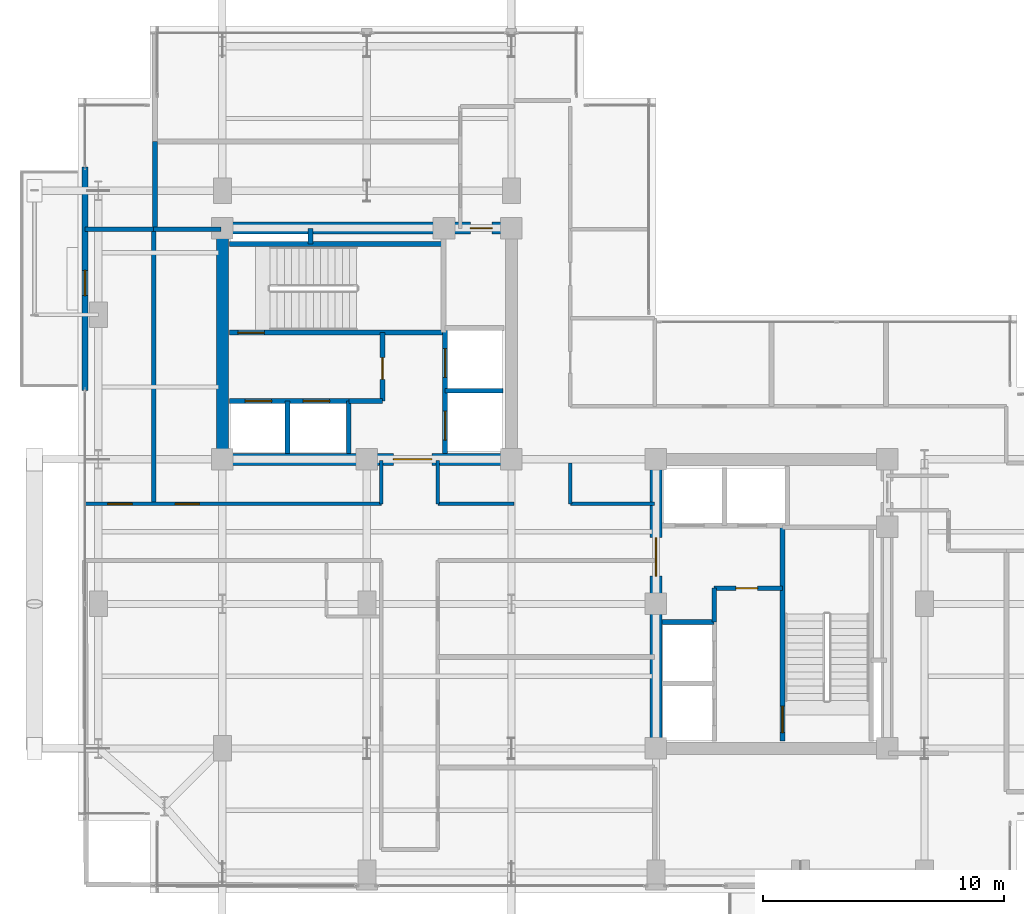
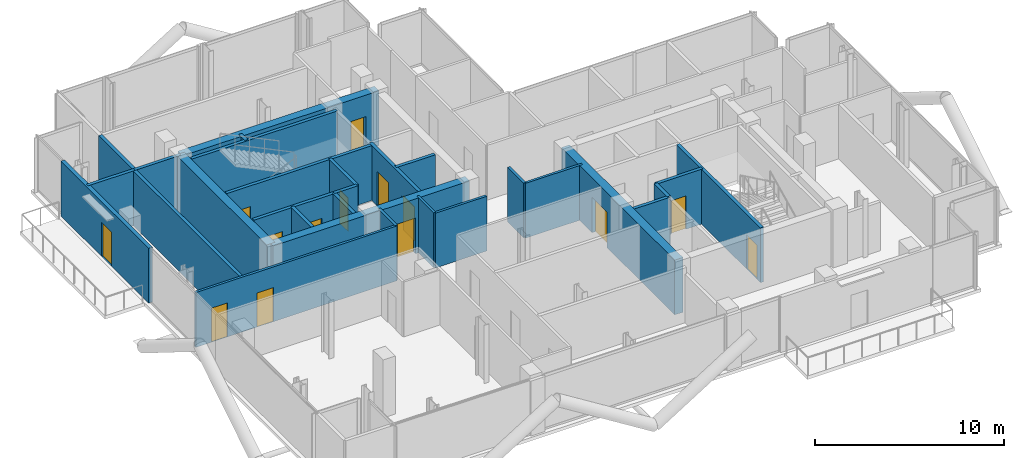
# One storey, part 20 of 25: 29 walls, 14 doors, 14 openings.
"""IFC4 building model written with IfcOpenShell, lengths in metres."""

from ifc_helpers import new_model, si_unit, direction, frame, frame_2d, origin, place, context, subcontext, project, spatial, rectangle, extrude, material, layer, layer_set, type_object, element, fill, save


model = new_model("IFC4")

# Units and contexts
model_context = context("Model", 3, precision=1e-05, world=origin(), true_north=direction((0.0, 1.0)))
body_context = subcontext(model_context, "Body", "Model", "MODEL_VIEW")
ifc_project = project(units=[si_unit("LENGTHUNIT", "METRE"), si_unit("AREAUNIT", "SQUARE_METRE"), si_unit("VOLUMEUNIT", "CUBIC_METRE"), si_unit("PLANEANGLEUNIT", "RADIAN"), si_unit("MASSUNIT", "GRAM", prefix="KILO"), si_unit("THERMODYNAMICTEMPERATUREUNIT", "KELVIN"), si_unit("POWERUNIT", "WATT")], contexts=[model_context])

# Site, building, storey
site_placement = place(None, origin())
site = spatial("IfcSite", under=ifc_project, at=site_placement, CompositionType="ELEMENT")
building_placement = place(site_placement, origin())
building = spatial("IfcBuilding", under=site, at=building_placement, Name="Svarakhadi Broadcast Tower", CompositionType="ELEMENT")
storey_placement = place(building_placement, frame((0.0, 0.0, 227.39990234375)))
storey = spatial("IfcBuildingStorey", under=building, at=storey_placement, Name="L56", CompositionType="ELEMENT", Elevation=227.39990234375)

# Walls
ifc_material_1 = material(Name="Double-Stud Acoustic Studio Partition STC-62", Category="gypsum")
ifc_layer_1 = layer(ifc_material_1, 0.199951171875)
ifc_layer_set_1 = layer_set([ifc_layer_1], Name="Double-Stud Acoustic Studio Partition STC-62")
wall_type_1 = type_object("IfcWallType", Name="Wall_Acoust_200", PredefinedType="PARTITIONING", material=ifc_layer_set_1)
wall_1_placement = place(storey_placement, frame((0.300048828125, 27.550048828125, 0.0), z_axis=(0.0, 0.0, 1.0), x_axis=(1.0, 0.0, 0.0)))
element("IfcWall", 1, at=wall_1_placement, inside=storey, type_object=wall_type_1, Name="L56 Arabian Sea Panorama Salon Wall", PredefinedType="PARTITIONING", context=body_context, shape_type="SweptSolid", body=[
    extrude(rectangle(XDim=2.849853515625, YDim=0.199951171875, at=frame_2d((1.4248046875, 0.0))), origin(), (0.0, 0.0, 1.0), 3.5400390625),
])
wall_2_placement = place(storey_placement, frame((3.14990234375, 16.14990234375, 0.0), z_axis=(0.0, 0.0, 1.0), x_axis=(0.0, 1.0, 0.0)))
element("IfcWall", 2, at=wall_2_placement, inside=storey, type_object=wall_type_1, Name="L56 Arabian Sea Panorama Salon Wall", PredefinedType="PARTITIONING", context=body_context, shape_type="SweptSolid", body=[
    extrude(rectangle(XDim=11.400146484375, YDim=0.199951171875, at=frame_2d((5.7001953125, 0.0))), origin(), (0.0, 0.0, 1.0), 3.5400390625),
])
wall_3_placement = place(storey_placement, frame((3.14990234375, 27.550048828125, 0.0), z_axis=(0.0, 0.0, 1.0), x_axis=(1.0, 0.0, 0.0)))
element("IfcWall", 3, at=wall_3_placement, inside=storey, type_object=wall_type_1, Name="L56 Private Study and Library Office Wall", PredefinedType="PARTITIONING", context=body_context, shape_type="SweptSolid", body=[
    extrude(rectangle(XDim=2.800048828125, YDim=0.199951171875, at=frame_2d((1.39990234375, 0.0))), origin(), (0.0, 0.0, 1.0), 3.5400390625),
])
wall_4_placement = place(storey_placement, frame((3.199951171875, 27.64990234375, 0.0), z_axis=(0.0, 0.0, 1.0), x_axis=(0.0, 1.0, 0.0)))
element("IfcWall", 4, at=wall_4_placement, inside=storey, type_object=wall_type_1, Name="L56 Hotel Pilates and Fitness Studio Wall", PredefinedType="PARTITIONING", context=body_context, shape_type="SweptSolid", body=[
    extrude(rectangle(XDim=3.550048828125, YDim=0.199951171875, at=frame_2d((1.77490234375, 0.0))), origin(), (0.0, 0.0, 1.0), 3.5400390625),
])

# Wall, opening, door
ifc_material_2 = material(Name="Concrete C40/50 (IS 456 M50)", Category="concrete")
ifc_layer_2 = layer(ifc_material_2, 0.239990234375)
ifc_layer_set_2 = layer_set([ifc_layer_2], Name="Concrete C40/50 (IS 456 M50)")
wall_type_2 = type_object("IfcWallType", Name="Wall_Ext_240", PredefinedType="SOLIDWALL", material=ifc_layer_set_2)
wall_5_placement = place(storey_placement, frame((0.300048828125, 20.85498046875, 0.0), z_axis=(0.0, 0.0, 1.0), x_axis=(0.0, 1.0, 0.0)))
wall_5 = element("IfcWall", 5, at=wall_5_placement, inside=storey, type_object=wall_type_2, Name="L56 West Tree Balcony Spandrel Wall", PredefinedType="SOLIDWALL", context=body_context, shape_type="SweptSolid", body=[
    extrude(rectangle(XDim=9.2900390625, YDim=0.239990234375, at=frame_2d((4.64501953125, 0.0))), origin(), (0.0, 0.0, 1.0), 3.5400390625),
])
opening_1_placement = place(wall_5_placement, frame((3.945068359375, 0.0, 0.0)))
opening_1 = element("IfcOpeningElement", 6, at=opening_1_placement, cuts=wall_5, Name="Opening ED-05", PredefinedType="OPENING", context=body_context, shape_type="SweptSolid", body=[
    extrude(rectangle(XDim=1.050048828125, YDim=2.199951171875, at=frame_2d((0.52490234375, 1.10009765625))), frame((0.0, 0.1298828125, 0.0), z_axis=(0.0, -1.0, 0.0), x_axis=(1.0, 0.0, 0.0)), (0.0, 0.0, 1.0), 0.260009765625),
])
ifc_material_3 = material(Name="Anodised Bronze Aluminium AA 6063-T6", Category="aluminium")
door_type_1 = type_object("IfcDoorType", Name="Door_Ext_ED05", OperationType="SINGLE_SWING_LEFT", PredefinedType="DOOR", material=ifc_material_3)
door_1_placement = place(opening_1_placement, origin())
door_1 = element("IfcDoor", 7, at=door_1_placement, inside=storey, type_object=door_type_1, Name="L56 West Tree Balcony Door", OperationType="SINGLE_SWING_LEFT", OverallHeight=2.199951171875, OverallWidth=1.050048828125, PredefinedType="DOOR", context=body_context, shape_type="SweptSolid", body=[
    extrude(rectangle(XDim=1.050048828125, YDim=2.199951171875, at=frame_2d((0.52490234375, 1.10009765625))), frame((0.0, 0.02490234375, 0.0), z_axis=(0.0, -1.0, 0.0), x_axis=(1.0, 0.0, 0.0)), (0.0, 0.0, 1.0), 0.050048828125),
])
fill(opening_1, door_1)

# Wall
ifc_layer_3 = layer(ifc_material_2, 0.199951171875)
ifc_layer_set_3 = layer_set([ifc_layer_3], Name="Concrete C40/50 (IS 456 M50)")
wall_type_3 = type_object("IfcWallType", Name="Wall_Fire_200", PredefinedType="SOLIDWALL", material=ifc_layer_set_3)
wall_6_placement = place(storey_placement, frame((9.659912109375, 26.93994140625, 0.0), z_axis=(0.0, 0.0, 1.0), x_axis=(0.0, 1.0, 0.0)))
element("IfcWall", 8, at=wall_6_placement, inside=storey, type_object=wall_type_3, Name="L56 Wet Riser Shaft East Wall", PredefinedType="SOLIDWALL", context=body_context, shape_type="SweptSolid", body=[
    extrude(rectangle(XDim=0.64013671875, YDim=0.199951171875, at=frame_2d((0.320068359375, 0.0))), origin(), (0.0, 0.0, 1.0), 3.5400390625),
])

# Wall, openings, doors
ifc_material_4 = material(Name="Autoclaved Aerated Concrete Blockwork 150 mm", Category="masonry")
ifc_layer_4 = layer(ifc_material_4, 0.14990234375)
ifc_layer_set_4 = layer_set([ifc_layer_4], Name="Autoclaved Aerated Concrete Blockwork 150 mm")
wall_type_4 = type_object("IfcWallType", Name="Wall_Part_150", PredefinedType="PARTITIONING", material=ifc_layer_set_4)
wall_7_placement = place(storey_placement, frame((0.300048828125, 16.14990234375, 0.0), z_axis=(0.0, 0.0, 1.0), x_axis=(1.0, 0.0, 0.0)))
wall_7 = element("IfcWall", 9, at=wall_7_placement, inside=storey, type_object=wall_type_4, Name="L56 Upper Tower Concourse Wall", PredefinedType="PARTITIONING", context=body_context, shape_type="SweptSolid", body=[
    extrude(rectangle(XDim=12.300048828125, YDim=0.14990234375, at=frame_2d((6.14990234375, 0.0))), origin(), (0.0, 0.0, 1.0), 3.5400390625),
])
opening_2_placement = place(wall_7_placement, frame((0.949951171875, 0.0, 0.0)))
opening_2 = element("IfcOpeningElement", 10, at=opening_2_placement, cuts=wall_7, Name="Opening D-08", PredefinedType="OPENING", context=body_context, shape_type="SweptSolid", body=[
    extrude(rectangle(XDim=1.0, YDim=2.199951171875, at=frame_2d((0.5, 1.10009765625))), frame((0.0, 0.0849609375, 0.0), z_axis=(0.0, -1.0, 0.0), x_axis=(1.0, 0.0, 0.0)), (0.0, 0.0, 1.0), 0.169921875),
])
opening_3_placement = place(wall_7_placement, frame((3.75, 0.0, 0.0)))
opening_3 = element("IfcOpeningElement", 11, at=opening_3_placement, cuts=wall_7, Name="Opening D-09", PredefinedType="OPENING", context=body_context, shape_type="SweptSolid", body=[
    extrude(rectangle(XDim=1.0, YDim=2.199951171875, at=frame_2d((0.5, 1.10009765625))), frame((0.0, 0.0849609375, 0.0), z_axis=(0.0, -1.0, 0.0), x_axis=(1.0, 0.0, 0.0)), (0.0, 0.0, 1.0), 0.169921875),
])
ifc_material_5 = material(Name="Solid-Core Teak Veneer Acoustic Timber Leaf", Category="wood")
door_type_2 = type_object("IfcDoorType", Name="Door_Suite_D08", OperationType="SINGLE_SWING_LEFT", PredefinedType="DOOR", material=ifc_material_5)
door_2_placement = place(opening_2_placement, origin())
door_2 = element("IfcDoor", 12, at=door_2_placement, inside=storey, type_object=door_type_2, Name="L56 Arabian Sea Panorama Salon Door", OperationType="SINGLE_SWING_LEFT", OverallHeight=2.199951171875, OverallWidth=1.0, PredefinedType="DOOR", context=body_context, shape_type="SweptSolid", body=[
    extrude(rectangle(XDim=1.0, YDim=2.199951171875, at=frame_2d((0.5, 1.10009765625))), frame((0.0, 0.02490234375, 0.0), z_axis=(0.0, -1.0, 0.0), x_axis=(1.0, 0.0, 0.0)), (0.0, 0.0, 1.0), 0.050048828125),
])
fill(opening_2, door_2)
door_type_3 = type_object("IfcDoorType", Name="Door_Suite_D09", OperationType="SINGLE_SWING_RIGHT", PredefinedType="DOOR", material=ifc_material_5)
door_3_placement = place(opening_3_placement, origin())
door_3 = element("IfcDoor", 13, at=door_3_placement, inside=storey, type_object=door_type_3, Name="L56 Private Study and Library Office Door", OperationType="SINGLE_SWING_RIGHT", OverallHeight=2.199951171875, OverallWidth=1.0, PredefinedType="DOOR", context=body_context, shape_type="SweptSolid", body=[
    extrude(rectangle(XDim=1.0, YDim=2.199951171875, at=frame_2d((0.5, 1.10009765625))), frame((0.0, 0.02490234375, 0.0), z_axis=(0.0, -1.0, 0.0), x_axis=(1.0, 0.0, 0.0)), (0.0, 0.0, 1.0), 0.050048828125),
])
fill(opening_3, door_3)

# Walls
for number, where, z_axis, x_axis, name in (
    (14, (12.60009765625, 16.14990234375, 0.0), (0.0, 0.0, 1.0), (0.0, 1.0, 0.0), "L56 Upper Tower Concourse Wall"),
    (15, (14.949951171875, 17.949951171875, 0.0), (0.0, 0.0, 1.0), (0.0, -1.0, 0.0), "L56 Upper Tower Concourse Wall"),
):
    element("IfcWall", number, at=place(storey_placement, frame(where, z_axis=z_axis, x_axis=x_axis)), inside=storey, type_object=wall_type_4, Name=name, PredefinedType="PARTITIONING", context=body_context, shape_type="SweptSolid", body=[
        extrude(rectangle(XDim=1.800048828125, YDim=0.14990234375, at=frame_2d((0.89990234375, 0.0))), origin(), (0.0, 0.0, 1.0), 3.5400390625),
    ])
wall_8_placement = place(storey_placement, frame((14.949951171875, 16.14990234375, 0.0), z_axis=(0.0, 0.0, 1.0), x_axis=(1.0, 0.0, 0.0)))
element("IfcWall", 16, at=wall_8_placement, inside=storey, type_object=wall_type_4, Name="L56 Upper Tower Concourse Wall", PredefinedType="PARTITIONING", context=body_context, shape_type="SweptSolid", body=[
    extrude(rectangle(XDim=3.150146484375, YDim=0.14990234375, at=frame_2d((1.5751953125, 0.0))), origin(), (0.0, 0.0, 1.0), 3.5400390625),
])
wall_9_placement = place(storey_placement, frame((20.449951171875, 17.85009765625, 0.0), z_axis=(0.0, 0.0, 1.0), x_axis=(0.0, -1.0, 0.0)))
element("IfcWall", 17, at=wall_9_placement, inside=storey, type_object=wall_type_4, Name="L56 Upper Tower Concourse Wall", PredefinedType="PARTITIONING", context=body_context, shape_type="SweptSolid", body=[
    extrude(rectangle(XDim=1.7001953125, YDim=0.14990234375, at=frame_2d((0.85009765625, 0.0))), origin(), (0.0, 0.0, 1.0), 3.5400390625),
])
wall_10_placement = place(storey_placement, frame((20.449951171875, 16.14990234375, 0.0), z_axis=(0.0, 0.0, 1.0), x_axis=(1.0, 0.0, 0.0)))
element("IfcWall", 18, at=wall_10_placement, inside=storey, type_object=wall_type_4, Name="L56 Upper Tower Concourse Wall", PredefinedType="PARTITIONING", context=body_context, shape_type="SweptSolid", body=[
    extrude(rectangle(XDim=3.5, YDim=0.14990234375, at=frame_2d((1.75, 0.0))), origin(), (0.0, 0.0, 1.0), 3.5400390625),
])

# Wall, opening, door
ifc_material_6 = material(Name="Concrete C50/60 (IS 456 M60)", Category="concrete")
ifc_layer_5 = layer(ifc_material_6, 0.199951171875)
ifc_layer_set_5 = layer_set([ifc_layer_5], Name="Concrete C50/60 (IS 456 M60)")
wall_type_5 = type_object("IfcWallType", Name="Wall_Shear_200", PredefinedType="SHEAR", material=ifc_layer_set_5)
wall_11_placement = place(storey_placement, frame((6.300048828125, 23.260009765625, 0.0), z_axis=(0.0, 0.0, 1.0), x_axis=(1.0, 0.0, 0.0)))
wall_11 = element("IfcWall", 19, at=wall_11_placement, inside=storey, type_object=wall_type_5, Name="L56 Stair ST-01 South RC Shaft Wall", PredefinedType="SHEAR", context=body_context, shape_type="SweptSolid", body=[
    extrude(rectangle(XDim=8.8798828125, YDim=0.199951171875, at=frame_2d((4.43994140625, 0.0))), origin(), (0.0, 0.0, 1.0), 3.5400390625),
])
opening_4_placement = place(wall_11_placement, frame((0.35009765625, 0.0, 0.0)))
opening_4 = element("IfcOpeningElement", 20, at=opening_4_placement, cuts=wall_11, Name="Opening D-01", PredefinedType="OPENING", context=body_context, shape_type="SweptSolid", body=[
    extrude(rectangle(XDim=1.10009765625, YDim=2.199951171875, at=frame_2d((0.550048828125, 1.10009765625))), frame((0.0, 0.10986328125, 0.0), z_axis=(0.0, -1.0, 0.0), x_axis=(1.0, 0.0, 0.0)), (0.0, 0.0, 1.0), 0.219970703125),
])
ifc_material_7 = material(Name="Galvanised Powder-Coated Fire-Rated Steel Leaf", Category="steel")
door_type_4 = type_object("IfcDoorType", Name="Door_Stair_D01", OperationType="SINGLE_SWING_LEFT", PredefinedType="DOOR", material=ifc_material_7)
door_4_placement = place(opening_4_placement, origin())
door_4 = element("IfcDoor", 21, at=door_4_placement, inside=storey, type_object=door_type_4, Name="L56 Protected Exit Stair ST-01 Fire Door", OperationType="SINGLE_SWING_LEFT", OverallHeight=2.199951171875, OverallWidth=1.10009765625, PredefinedType="DOOR", context=body_context, shape_type="SweptSolid", body=[
    extrude(rectangle(XDim=1.10009765625, YDim=2.199951171875, at=frame_2d((0.550048828125, 1.10009765625))), frame((0.0, 0.02490234375, 0.0), z_axis=(0.0, -1.0, 0.0), x_axis=(1.0, 0.0, 0.0)), (0.0, 0.0, 1.0), 0.050048828125),
])
fill(opening_4, door_4)

# Wall
wall_12_placement = place(storey_placement, frame((6.300048828125, 26.93994140625, 0.0), z_axis=(0.0, 0.0, 1.0), x_axis=(1.0, 0.0, 0.0)))
element("IfcWall", 22, at=wall_12_placement, inside=storey, type_object=wall_type_5, Name="L56 Stair ST-01 North RC Shaft Wall", PredefinedType="SHEAR", context=body_context, shape_type="SweptSolid", body=[
    extrude(rectangle(XDim=8.8798828125, YDim=0.199951171875, at=frame_2d((4.43994140625, 0.0))), origin(), (0.0, 0.0, 1.0), 3.5400390625),
])

# Wall, opening, door
wall_13_placement = place(storey_placement, frame((29.260009765625, 6.300048828125, 0.0), z_axis=(0.0, 0.0, 1.0), x_axis=(0.0, 1.0, 0.0)))
wall_13 = element("IfcWall", 23, at=wall_13_placement, inside=storey, type_object=wall_type_5, Name="L56 Stair ST-02 West RC Shaft Wall", PredefinedType="SHEAR", context=body_context, shape_type="SweptSolid", body=[
    extrude(rectangle(XDim=8.8798828125, YDim=0.199951171875, at=frame_2d((4.43994140625, 0.0))), origin(), (0.0, 0.0, 1.0), 3.5400390625),
])
opening_5_placement = place(wall_13_placement, frame((0.35009765625, 0.0, 0.0)))
opening_5 = element("IfcOpeningElement", 24, at=opening_5_placement, cuts=wall_13, Name="Opening D-02", PredefinedType="OPENING", context=body_context, shape_type="SweptSolid", body=[
    extrude(rectangle(XDim=1.10009765625, YDim=2.199951171875, at=frame_2d((0.550048828125, 1.10009765625))), frame((0.0, 0.10986328125, 0.0), z_axis=(0.0, -1.0, 0.0), x_axis=(1.0, 0.0, 0.0)), (0.0, 0.0, 1.0), 0.219970703125),
])
door_type_5 = type_object("IfcDoorType", Name="Door_Stair_D02", OperationType="SINGLE_SWING_RIGHT", PredefinedType="DOOR", material=ifc_material_7)
door_5_placement = place(opening_5_placement, origin())
door_5 = element("IfcDoor", 25, at=door_5_placement, inside=storey, type_object=door_type_5, Name="L56 Protected Exit Stair ST-02 Fire Door", OperationType="SINGLE_SWING_RIGHT", OverallHeight=2.199951171875, OverallWidth=1.10009765625, PredefinedType="DOOR", context=body_context, shape_type="SweptSolid", body=[
    extrude(rectangle(XDim=1.10009765625, YDim=2.199951171875, at=frame_2d((0.550048828125, 1.10009765625))), frame((0.0, 0.02490234375, 0.0), z_axis=(0.0, -1.0, 0.0), x_axis=(1.0, 0.0, 0.0)), (0.0, 0.0, 1.0), 0.050048828125),
])
fill(opening_5, door_5)

# Wall, openings, doors
wall_14_placement = place(storey_placement, frame((6.300048828125, 20.419921875, 0.0), z_axis=(0.0, 0.0, 1.0), x_axis=(1.0, 0.0, 0.0)))
wall_14 = element("IfcWall", 26, at=wall_14_placement, inside=storey, type_object=wall_type_5, Name="L56 Firefighting Lift LF-01/02 Shaft Wall", PredefinedType="SHEAR", context=body_context, shape_type="SweptSolid", body=[
    extrude(rectangle(XDim=4.949951171875, YDim=0.199951171875, at=frame_2d((2.47509765625, 0.0))), origin(), (0.0, 0.0, 1.0), 3.5400390625),
])
opening_6_placement = place(wall_14_placement, frame((0.64990234375, 0.0, 0.0)))
opening_6 = element("IfcOpeningElement", 27, at=opening_6_placement, cuts=wall_14, Name="Opening LD-01", PredefinedType="OPENING", context=body_context, shape_type="SweptSolid", body=[
    extrude(rectangle(XDim=1.10009765625, YDim=2.199951171875, at=frame_2d((0.550048828125, 1.10009765625))), frame((0.0, 0.10986328125, 0.0), z_axis=(0.0, -1.0, 0.0), x_axis=(1.0, 0.0, 0.0)), (0.0, 0.0, 1.0), 0.219970703125),
])
opening_7_placement = place(wall_14_placement, frame((3.050048828125, 0.0, 0.0)))
opening_7 = element("IfcOpeningElement", 28, at=opening_7_placement, cuts=wall_14, Name="Opening LD-01", PredefinedType="OPENING", context=body_context, shape_type="SweptSolid", body=[
    extrude(rectangle(XDim=1.10009765625, YDim=2.199951171875, at=frame_2d((0.550048828125, 1.10009765625))), frame((0.0, 0.10986328125, 0.0), z_axis=(0.0, -1.0, 0.0), x_axis=(1.0, 0.0, 0.0)), (0.0, 0.0, 1.0), 0.219970703125),
])
door_type_6 = type_object("IfcDoorType", Name="Door_Lift_LD01", OperationType="SLIDING_TO_LEFT", PredefinedType="DOOR", material=ifc_material_7)
door_6_placement = place(opening_6_placement, origin())
door_6 = element("IfcDoor", 29, at=door_6_placement, inside=storey, type_object=door_type_6, Name="L56 Firefighting Lift LF-01 Landing Door", OperationType="SLIDING_TO_LEFT", OverallHeight=2.199951171875, OverallWidth=1.10009765625, PredefinedType="DOOR", context=body_context, shape_type="SweptSolid", body=[
    extrude(rectangle(XDim=1.10009765625, YDim=2.199951171875, at=frame_2d((0.550048828125, 1.10009765625))), frame((0.0, 0.02490234375, 0.0), z_axis=(0.0, -1.0, 0.0), x_axis=(1.0, 0.0, 0.0)), (0.0, 0.0, 1.0), 0.050048828125),
])
fill(opening_6, door_6)
door_7_placement = place(opening_7_placement, origin())
door_7 = element("IfcDoor", 30, at=door_7_placement, inside=storey, type_object=door_type_6, Name="L56 Firefighting Lift LF-02 Landing Door", OperationType="SLIDING_TO_LEFT", OverallHeight=2.199951171875, OverallWidth=1.10009765625, PredefinedType="DOOR", context=body_context, shape_type="SweptSolid", body=[
    extrude(rectangle(XDim=1.10009765625, YDim=2.199951171875, at=frame_2d((0.550048828125, 1.10009765625))), frame((0.0, 0.02490234375, 0.0), z_axis=(0.0, -1.0, 0.0), x_axis=(1.0, 0.0, 0.0)), (0.0, 0.0, 1.0), 0.050048828125),
])
fill(opening_7, door_7)

# Walls
for number, where, z_axis, x_axis, name in (
    (31, (8.699951171875, 18.25, 0.0), (0.0, 0.0, 1.0), (0.0, 1.0, 0.0), "L56 Firefighting Lift LF-01/02 Divider Wall"),
    (32, (11.25, 18.25, 0.0), (0.0, 0.0, 1.0), (0.0, 1.0, 0.0), "L56 Firefighting Lift LF-02 East Wall"),
):
    element("IfcWall", number, at=place(storey_placement, frame(where, z_axis=z_axis, x_axis=x_axis)), inside=storey, type_object=wall_type_5, Name=name, PredefinedType="SHEAR", context=body_context, shape_type="SweptSolid", body=[
        extrude(rectangle(XDim=2.169921875, YDim=0.199951171875, at=frame_2d((1.0849609375, 0.0))), origin(), (0.0, 0.0, 1.0), 3.5400390625),
    ])
wall_15_placement = place(storey_placement, frame((11.25, 20.419921875, 0.0), z_axis=(0.0, 0.0, 1.0), x_axis=(1.0, 0.0, 0.0)))
element("IfcWall", 33, at=wall_15_placement, inside=storey, type_object=wall_type_5, Name="L56 West Firefighting Lobby South Wall", PredefinedType="SHEAR", context=body_context, shape_type="SweptSolid", body=[
    extrude(rectangle(XDim=1.39990234375, YDim=0.199951171875, at=frame_2d((0.699951171875, 0.0))), origin(), (0.0, 0.0, 1.0), 3.5400390625),
])

# Wall, opening, door
wall_16_placement = place(storey_placement, frame((12.64990234375, 20.419921875, 0.0), z_axis=(0.0, 0.0, 1.0), x_axis=(0.0, 1.0, 0.0)))
wall_16 = element("IfcWall", 34, at=wall_16_placement, inside=storey, type_object=wall_type_5, Name="L56 West Firefighting Lobby East Wall", PredefinedType="SHEAR", context=body_context, shape_type="SweptSolid", body=[
    extrude(rectangle(XDim=2.840087890625, YDim=0.199951171875, at=frame_2d((1.419921875, 0.0))), origin(), (0.0, 0.0, 1.0), 3.5400390625),
])
opening_8_placement = place(wall_16_placement, frame((0.89990234375, 0.0, 0.0)))
opening_8 = element("IfcOpeningElement", 35, at=opening_8_placement, cuts=wall_16, Name="Opening D-03", PredefinedType="OPENING", context=body_context, shape_type="SweptSolid", body=[
    extrude(rectangle(XDim=0.89990234375, YDim=2.14990234375, at=frame_2d((0.449951171875, 1.074951171875))), frame((0.0, 0.10986328125, 0.0), z_axis=(0.0, -1.0, 0.0), x_axis=(1.0, 0.0, 0.0)), (0.0, 0.0, 1.0), 0.219970703125),
])
door_type_7 = type_object("IfcDoorType", Name="Door_Fire_D03", OperationType="SINGLE_SWING_LEFT", PredefinedType="DOOR", material=ifc_material_7)
door_8_placement = place(opening_8_placement, origin())
door_8 = element("IfcDoor", 36, at=door_8_placement, inside=storey, type_object=door_type_7, Name="L56 West Firefighting Lobby Fire Door", OperationType="SINGLE_SWING_LEFT", OverallHeight=2.14990234375, OverallWidth=0.89990234375, PredefinedType="DOOR", context=body_context, shape_type="SweptSolid", body=[
    extrude(rectangle(XDim=0.89990234375, YDim=2.14990234375, at=frame_2d((0.449951171875, 1.074951171875))), frame((0.0, 0.02490234375, 0.0), z_axis=(0.0, -1.0, 0.0), x_axis=(1.0, 0.0, 0.0)), (0.0, 0.0, 1.0), 0.050048828125),
])
fill(opening_8, door_8)

# Walls
wall_17_placement = place(storey_placement, frame((24.25, 11.25, 0.0), z_axis=(0.0, 0.0, 1.0), x_axis=(1.0, 0.0, 0.0)))
element("IfcWall", 37, at=wall_17_placement, inside=storey, type_object=wall_type_5, Name="L56 Firefighting Lift LF-04 North Wall", PredefinedType="SHEAR", context=body_context, shape_type="SweptSolid", body=[
    extrude(rectangle(XDim=2.169921875, YDim=0.199951171875, at=frame_2d((1.0849609375, 0.0))), origin(), (0.0, 0.0, 1.0), 3.5400390625),
])
wall_18_placement = place(storey_placement, frame((26.419921875, 11.25, 0.0), z_axis=(0.0, 0.0, 1.0), x_axis=(0.0, 1.0, 0.0)))
element("IfcWall", 38, at=wall_18_placement, inside=storey, type_object=wall_type_5, Name="L56 East Firefighting Lobby West Wall", PredefinedType="SHEAR", context=body_context, shape_type="SweptSolid", body=[
    extrude(rectangle(XDim=1.39990234375, YDim=0.199951171875, at=frame_2d((0.699951171875, 0.0))), origin(), (0.0, 0.0, 1.0), 3.5400390625),
])

# Wall, opening, door
wall_19_placement = place(storey_placement, frame((26.419921875, 12.64990234375, 0.0), z_axis=(0.0, 0.0, 1.0), x_axis=(1.0, 0.0, 0.0)))
wall_19 = element("IfcWall", 39, at=wall_19_placement, inside=storey, type_object=wall_type_5, Name="L56 East Firefighting Lobby North Wall", PredefinedType="SHEAR", context=body_context, shape_type="SweptSolid", body=[
    extrude(rectangle(XDim=2.840087890625, YDim=0.199951171875, at=frame_2d((1.419921875, 0.0))), origin(), (0.0, 0.0, 1.0), 3.5400390625),
])
opening_9_placement = place(wall_19_placement, frame((0.89990234375, 0.0, 0.0)))
opening_9 = element("IfcOpeningElement", 40, at=opening_9_placement, cuts=wall_19, Name="Opening D-04", PredefinedType="OPENING", context=body_context, shape_type="SweptSolid", body=[
    extrude(rectangle(XDim=0.89990234375, YDim=2.14990234375, at=frame_2d((0.449951171875, 1.074951171875))), frame((0.0, 0.10986328125, 0.0), z_axis=(0.0, -1.0, 0.0), x_axis=(1.0, 0.0, 0.0)), (0.0, 0.0, 1.0), 0.219970703125),
])
door_type_8 = type_object("IfcDoorType", Name="Door_Fire_D04", OperationType="SINGLE_SWING_RIGHT", PredefinedType="DOOR", material=ifc_material_7)
door_9_placement = place(opening_9_placement, origin())
door_9 = element("IfcDoor", 41, at=door_9_placement, inside=storey, type_object=door_type_8, Name="L56 East Firefighting Lobby Fire Door", OperationType="SINGLE_SWING_RIGHT", OverallHeight=2.14990234375, OverallWidth=0.89990234375, PredefinedType="DOOR", context=body_context, shape_type="SweptSolid", body=[
    extrude(rectangle(XDim=0.89990234375, YDim=2.14990234375, at=frame_2d((0.449951171875, 1.074951171875))), frame((0.0, 0.02490234375, 0.0), z_axis=(0.0, -1.0, 0.0), x_axis=(1.0, 0.0, 0.0)), (0.0, 0.0, 1.0), 0.050048828125),
])
fill(opening_9, door_9)

# Wall, openings, doors
wall_20_placement = place(storey_placement, frame((15.25, 18.25, 0.0), z_axis=(0.0, 0.0, 1.0), x_axis=(0.0, 1.0, 0.0)))
wall_20 = element("IfcWall", 42, at=wall_20_placement, inside=storey, type_object=wall_type_5, Name="L56 High-Rise Lift LF-13/14 West Shaft Wall", PredefinedType="SHEAR", context=body_context, shape_type="SweptSolid", body=[
    extrude(rectangle(XDim=5.199951171875, YDim=0.199951171875, at=frame_2d((2.60009765625, 0.0))), origin(), (0.0, 0.0, 1.0), 3.5400390625),
])
opening_10_placement = place(wall_20_placement, frame((0.550048828125, 0.0, 0.0)))
opening_10 = element("IfcOpeningElement", 43, at=opening_10_placement, cuts=wall_20, Name="Opening LD-02", PredefinedType="OPENING", context=body_context, shape_type="SweptSolid", body=[
    extrude(rectangle(XDim=1.199951171875, YDim=2.199951171875, at=frame_2d((0.60009765625, 1.10009765625))), frame((0.0, 0.10986328125, 0.0), z_axis=(0.0, -1.0, 0.0), x_axis=(1.0, 0.0, 0.0)), (0.0, 0.0, 1.0), 0.219970703125),
])
opening_11_placement = place(wall_20_placement, frame((3.14990234375, 0.0, 0.0)))
opening_11 = element("IfcOpeningElement", 44, at=opening_11_placement, cuts=wall_20, Name="Opening LD-02", PredefinedType="OPENING", context=body_context, shape_type="SweptSolid", body=[
    extrude(rectangle(XDim=1.199951171875, YDim=2.199951171875, at=frame_2d((0.60009765625, 1.10009765625))), frame((0.0, 0.10986328125, 0.0), z_axis=(0.0, -1.0, 0.0), x_axis=(1.0, 0.0, 0.0)), (0.0, 0.0, 1.0), 0.219970703125),
])
door_type_9 = type_object("IfcDoorType", Name="Door_Lift_LD02", OperationType="SLIDING_TO_RIGHT", PredefinedType="DOOR", material=ifc_material_7)
door_10_placement = place(opening_10_placement, origin())
door_10 = element("IfcDoor", 45, at=door_10_placement, inside=storey, type_object=door_type_9, Name="L56 High-Rise Lift LF-13 Landing Door", OperationType="SLIDING_TO_RIGHT", OverallHeight=2.199951171875, OverallWidth=1.199951171875, PredefinedType="DOOR", context=body_context, shape_type="SweptSolid", body=[
    extrude(rectangle(XDim=1.199951171875, YDim=2.199951171875, at=frame_2d((0.60009765625, 1.10009765625))), frame((0.0, 0.02490234375, 0.0), z_axis=(0.0, -1.0, 0.0), x_axis=(1.0, 0.0, 0.0)), (0.0, 0.0, 1.0), 0.050048828125),
])
fill(opening_10, door_10)
door_11_placement = place(opening_11_placement, origin())
door_11 = element("IfcDoor", 46, at=door_11_placement, inside=storey, type_object=door_type_9, Name="L56 High-Rise Lift LF-14 Landing Door", OperationType="SLIDING_TO_RIGHT", OverallHeight=2.199951171875, OverallWidth=1.199951171875, PredefinedType="DOOR", context=body_context, shape_type="SweptSolid", body=[
    extrude(rectangle(XDim=1.199951171875, YDim=2.199951171875, at=frame_2d((0.60009765625, 1.10009765625))), frame((0.0, 0.02490234375, 0.0), z_axis=(0.0, -1.0, 0.0), x_axis=(1.0, 0.0, 0.0)), (0.0, 0.0, 1.0), 0.050048828125),
])
fill(opening_11, door_11)

# Wall
wall_21_placement = place(storey_placement, frame((15.25, 20.85009765625, 0.0), z_axis=(0.0, 0.0, 1.0), x_axis=(1.0, 0.0, 0.0)))
element("IfcWall", 47, at=wall_21_placement, inside=storey, type_object=wall_type_5, Name="L56 High-Rise Lift LF-13/14 Divider", PredefinedType="SHEAR", context=body_context, shape_type="SweptSolid", body=[
    extrude(rectangle(XDim=2.39990234375, YDim=0.199951171875, at=frame_2d((1.199951171875, 0.0))), origin(), (0.0, 0.0, 1.0), 3.5400390625),
])

# Wall, opening, door
ifc_layer_6 = layer(ifc_material_6, 0.5)
ifc_layer_set_6 = layer_set([ifc_layer_6], Name="Concrete C50/60 (IS 456 M60)")
wall_type_6 = type_object("IfcWallType", Name="Wall_Shear_500", PredefinedType="SHEAR", material=ifc_layer_set_6)
wall_22_placement = place(storey_placement, frame((6.0, 18.0, 0.0), z_axis=(0.0, 0.0, 1.0), x_axis=(1.0, 0.0, 0.0)))
wall_22 = element("IfcWall", 48, at=wall_22_placement, inside=storey, type_object=wall_type_6, Name="L56 West Core South Shear Wall", PredefinedType="SHEAR", context=body_context, shape_type="SweptSolid", body=[
    extrude(rectangle(XDim=12.0, YDim=0.5, at=frame_2d((6.0, 0.0))), origin(), (0.0, 0.0, 1.0), 3.5400390625),
])
opening_12_placement = place(wall_22_placement, frame((7.10009765625, 0.0, 0.0)))
opening_12 = element("IfcOpeningElement", 49, at=opening_12_placement, cuts=wall_22, Name="Opening D-05", PredefinedType="OPENING", context=body_context, shape_type="SweptSolid", body=[
    extrude(rectangle(XDim=1.60009765625, YDim=2.300048828125, at=frame_2d((0.800048828125, 1.14990234375))), frame((0.0, 0.260009765625, 0.0), z_axis=(0.0, -1.0, 0.0), x_axis=(1.0, 0.0, 0.0)), (0.0, 0.0, 1.0), 0.52001953125),
])
door_type_10 = type_object("IfcDoorType", Name="Door_Lobby_D05", OperationType="DOUBLE_DOOR_SLIDING", PredefinedType="DOOR", material=ifc_material_3)
door_12_placement = place(opening_12_placement, origin())
door_12 = element("IfcDoor", 50, at=door_12_placement, inside=storey, type_object=door_type_10, Name="L56 West Core Passenger Lift Lobby Entrance Door", OperationType="DOUBLE_DOOR_SLIDING", OverallHeight=2.300048828125, OverallWidth=1.60009765625, PredefinedType="DOOR", context=body_context, shape_type="SweptSolid", body=[
    extrude(rectangle(XDim=1.60009765625, YDim=2.300048828125, at=frame_2d((0.800048828125, 1.14990234375))), frame((0.0, 0.02490234375, 0.0), z_axis=(0.0, -1.0, 0.0), x_axis=(1.0, 0.0, 0.0)), (0.0, 0.0, 1.0), 0.050048828125),
])
fill(opening_12, door_12)

wall_23_placement = place(storey_placement, frame((6.0, 27.60009765625, 0.0), z_axis=(0.0, 0.0, 1.0), x_axis=(1.0, 0.0, 0.0)))
wall_23 = element("IfcWall", 51, at=wall_23_placement, inside=storey, type_object=wall_type_6, Name="L56 West Core North Shear Wall", PredefinedType="SHEAR", context=body_context, shape_type="SweptSolid", body=[
    extrude(rectangle(XDim=12.0, YDim=0.5, at=frame_2d((6.0, 0.0))), origin(), (0.0, 0.0, 1.0), 3.5400390625),
])
opening_13_placement = place(wall_23_placement, frame((10.300048828125, 0.0, 0.0)))
opening_13 = element("IfcOpeningElement", 52, at=opening_13_placement, cuts=wall_23, Name="Opening D-03", PredefinedType="OPENING", context=body_context, shape_type="SweptSolid", body=[
    extrude(rectangle(XDim=0.89990234375, YDim=2.14990234375, at=frame_2d((0.449951171875, 1.074951171875))), frame((0.0, 0.260009765625, 0.0), z_axis=(0.0, -1.0, 0.0), x_axis=(1.0, 0.0, 0.0)), (0.0, 0.0, 1.0), 0.52001953125),
])
door_13_placement = place(opening_13_placement, origin())
door_13 = element("IfcDoor", 53, at=door_13_placement, inside=storey, type_object=door_type_7, Name="L56 Core Service Room West Door", OperationType="SINGLE_SWING_LEFT", OverallHeight=2.14990234375, OverallWidth=0.89990234375, PredefinedType="DOOR", context=body_context, shape_type="SweptSolid", body=[
    extrude(rectangle(XDim=0.89990234375, YDim=2.14990234375, at=frame_2d((0.449951171875, 1.074951171875))), frame((0.0, 0.02490234375, 0.0), z_axis=(0.0, -1.0, 0.0), x_axis=(1.0, 0.0, 0.0)), (0.0, 0.0, 1.0), 0.050048828125),
])
fill(opening_13, door_13)

# Wall
wall_24_placement = place(storey_placement, frame((6.0, 18.0, 0.0), z_axis=(0.0, 0.0, 1.0), x_axis=(0.0, 1.0, 0.0)))
element("IfcWall", 54, at=wall_24_placement, inside=storey, type_object=wall_type_6, Name="L56 West Core West Shear Wall", PredefinedType="SHEAR", context=body_context, shape_type="SweptSolid", body=[
    extrude(rectangle(XDim=9.60009765625, YDim=0.5, at=frame_2d((4.800048828125, 0.0))), origin(), (0.0, 0.0, 1.0), 3.5400390625),
])

# Wall, opening, door
wall_25_placement = place(storey_placement, frame((24.0, 6.0, 0.0), z_axis=(0.0, 0.0, 1.0), x_axis=(0.0, 1.0, 0.0)))
wall_25 = element("IfcWall", 55, at=wall_25_placement, inside=storey, type_object=wall_type_6, Name="L56 East Core West Shear Wall", PredefinedType="SHEAR", context=body_context, shape_type="SweptSolid", body=[
    extrude(rectangle(XDim=12.0, YDim=0.5, at=frame_2d((6.0, 0.0))), origin(), (0.0, 0.0, 1.0), 3.5400390625),
])
opening_14_placement = place(wall_25_placement, frame((7.14990234375, 0.0, 0.0)))
opening_14 = element("IfcOpeningElement", 56, at=opening_14_placement, cuts=wall_25, Name="Opening D-05", PredefinedType="OPENING", context=body_context, shape_type="SweptSolid", body=[
    extrude(rectangle(XDim=1.60009765625, YDim=2.300048828125, at=frame_2d((0.800048828125, 1.14990234375))), frame((0.0, 0.260009765625, 0.0), z_axis=(0.0, -1.0, 0.0), x_axis=(1.0, 0.0, 0.0)), (0.0, 0.0, 1.0), 0.52001953125),
])
door_14_placement = place(opening_14_placement, origin())
door_14 = element("IfcDoor", 57, at=door_14_placement, inside=storey, type_object=door_type_10, Name="L56 East Core Passenger Lift Lobby Entrance Door", OperationType="DOUBLE_DOOR_SLIDING", OverallHeight=2.300048828125, OverallWidth=1.60009765625, PredefinedType="DOOR", context=body_context, shape_type="SweptSolid", body=[
    extrude(rectangle(XDim=1.60009765625, YDim=2.300048828125, at=frame_2d((0.800048828125, 1.14990234375))), frame((0.0, 0.02490234375, 0.0), z_axis=(0.0, -1.0, 0.0), x_axis=(1.0, 0.0, 0.0)), (0.0, 0.0, 1.0), 0.050048828125),
])
fill(opening_14, door_14)

save(model, "model.ifc")
